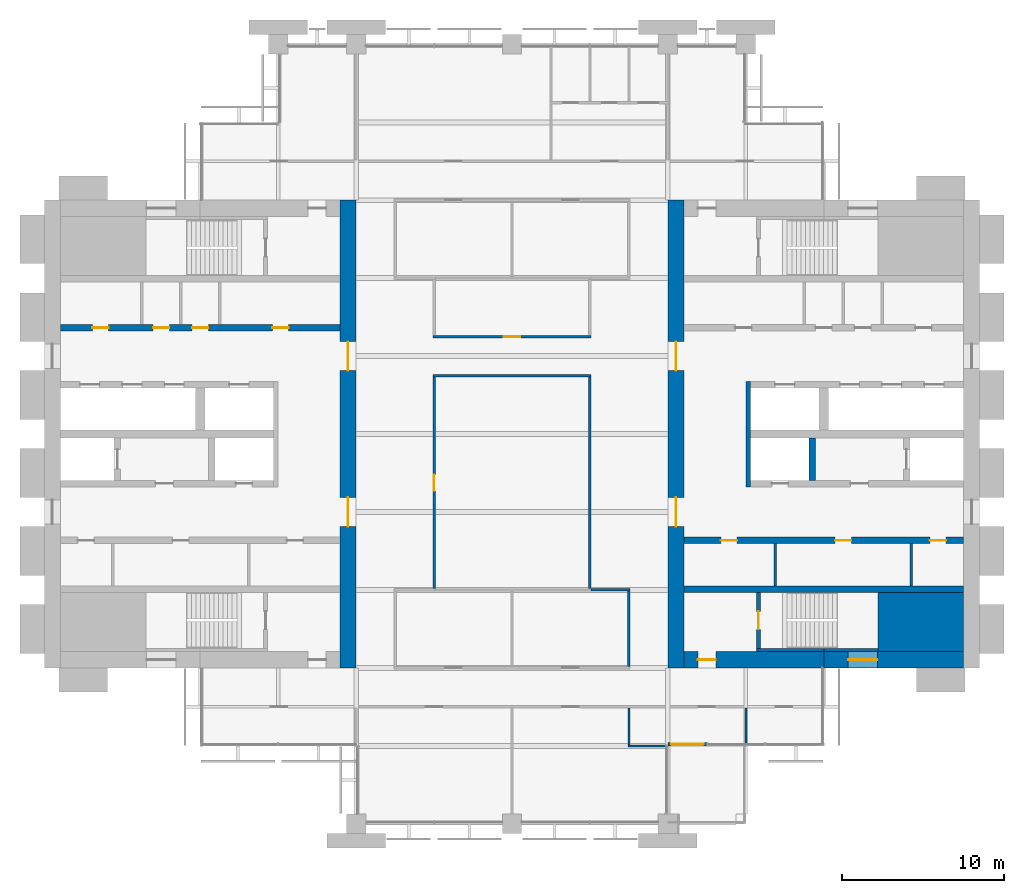
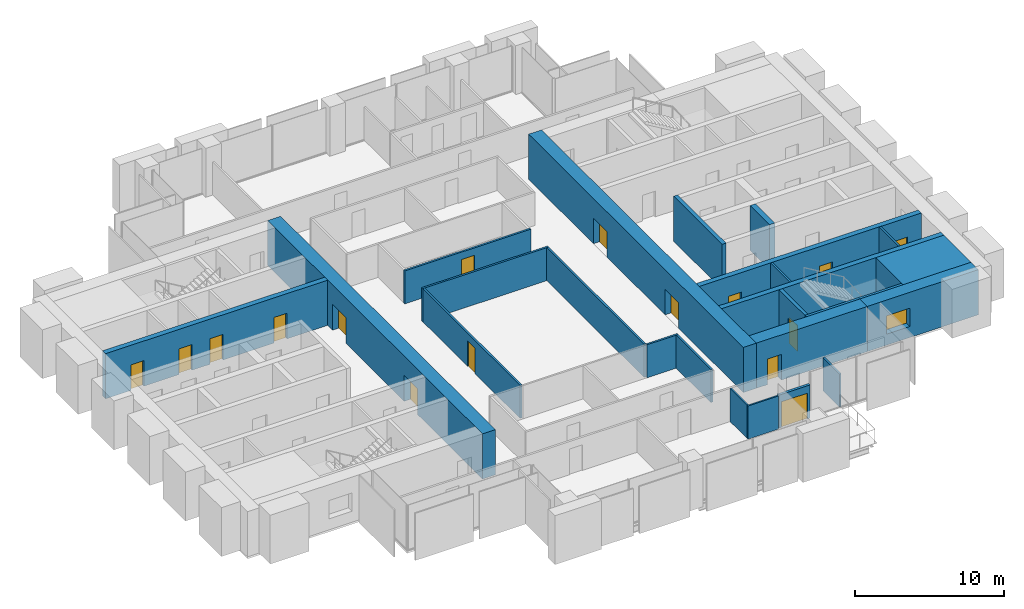
# One storey, part 9 of 13: 25 walls, 16 doors, 1 window, 17 openings.
"""IFC4 building model written with IfcOpenShell, lengths in metres."""

from ifc_helpers import new_model, si_unit, direction, frame, frame_2d, origin, place, context, subcontext, project, spatial, rectangle, extrude, material, layer, layer_set, type_object, element, fill, save


model = new_model("IFC4")

# Units and contexts
model_context = context("Model", 3, precision=1e-05, world=origin(), true_north=direction((0.0, 1.0)))
body_context = subcontext(model_context, "Body", "Model", "MODEL_VIEW")
ifc_project = project(units=[si_unit("LENGTHUNIT", "METRE"), si_unit("AREAUNIT", "SQUARE_METRE"), si_unit("VOLUMEUNIT", "CUBIC_METRE"), si_unit("PLANEANGLEUNIT", "RADIAN"), si_unit("MASSUNIT", "GRAM", prefix="KILO")], contexts=[model_context])

# Site, building, storey
site_placement = place(None, origin())
site = spatial("IfcSite", under=ifc_project, at=site_placement, CompositionType="ELEMENT")
building_placement = place(site_placement, origin())
building = spatial("IfcBuilding", under=site, at=building_placement, Name="Baori Bourse Tower", CompositionType="ELEMENT")
storey_placement = place(building_placement, frame((0.0, 0.0, 172.10009765625)))
storey = spatial("IfcBuildingStorey", under=building, at=storey_placement, Name="L38", CompositionType="ELEMENT", Elevation=172.10009765625)

# Walls
ifc_material_1 = material(Name="Concrete f'c 60 MPa", Category="concrete")
wall_type_1 = type_object("IfcWallType", Name="Core corner block f'c 60", PredefinedType="SHEAR", material=ifc_material_1)
wall_1_placement = place(storey_placement, frame((51.35009765625, 12.425048828125, 0.0), z_axis=(0.0, 0.0, 1.0), x_axis=(1.0, 0.0, 0.0)))
element("IfcWall", 1, at=wall_1_placement, inside=storey, type_object=wall_type_1, Name="Core wall E05", PredefinedType="SHEAR", context=body_context, shape_type="SweptSolid", body=[
    extrude(rectangle(XDim=5.25, YDim=3.64990234375, at=frame_2d((2.625, 0.0))), origin(), (0.0, 0.0, 1.0), 3.699951171875),
])
ifc_material_2 = material(Name="Blockwork partition", Category="masonry")
ifc_layer_1 = layer(ifc_material_2, 0.14990234375)
ifc_layer_set_1 = layer_set([ifc_layer_1], Name="Core partition 150")
wall_type_2 = type_object("IfcWallType", Name="Core partition 150", PredefinedType="PARTITIONING", material=ifc_layer_set_1)
for number, where, z_axis, x_axis, name in (
    (2, (53.39990234375, 14.64990234375, 0.0), (0.0, 0.0, 1.0), (0.0, 1.0, 0.0), "Partition wall E10"),
    (3, (45.0, 14.64990234375, 0.0), (0.0, 0.0, 1.0), (0.0, 1.0, 0.0), "Partition wall E11"),
):
    element("IfcWall", number, at=place(storey_placement, frame(where, z_axis=z_axis, x_axis=x_axis)), inside=storey, type_object=wall_type_2, Name=name, PredefinedType="PARTITIONING", context=body_context, shape_type="SweptSolid", body=[
        extrude(rectangle(XDim=2.60009765625, YDim=0.14990234375, at=frame_2d((1.300048828125, 0.0))), origin(), (0.0, 0.0, 1.0), 3.699951171875),
    ])

# Wall, openings, doors
ifc_material_3 = material(Name="Concrete f'c 60 MPa", Category="concrete")
ifc_layer_2 = layer(ifc_material_3, 1.0)
ifc_layer_set_2 = layer_set([ifc_layer_2], Name="Core wall 1000 f'c 60")
wall_type_3 = type_object("IfcWallType", Name="Core wall 1000 f'c 60", PredefinedType="SHEAR", material=ifc_layer_set_2)
wall_2_placement = place(storey_placement, frame((18.699951171875, 38.39990234375, 0.0), z_axis=(0.0, 0.0, 1.0), x_axis=(0.0, -1.0, 0.0)))
wall_2 = element("IfcWall", 4, at=wall_2_placement, inside=storey, type_object=wall_type_3, Name="Core wall W04", PredefinedType="SHEAR", context=body_context, shape_type="SweptSolid", body=[
    extrude(rectangle(XDim=28.7998046875, YDim=1.0, at=frame_2d((14.39990234375, 0.0))), origin(), (0.0, 0.0, 1.0), 3.699951171875),
])
opening_1_placement = place(wall_2_placement, frame((18.300048828125, 0.0, 0.0)))
opening_1 = element("IfcOpeningElement", 5, at=opening_1_placement, cuts=wall_2, Name="Opening L38-D107", PredefinedType="OPENING", context=body_context, shape_type="SweptSolid", body=[
    extrude(rectangle(XDim=1.800048828125, YDim=2.10009765625, at=frame_2d((0.89990234375, 1.050048828125))), frame((0.0, 0.510009765625, 0.0), z_axis=(0.0, -1.0, 0.0), x_axis=(1.0, 0.0, 0.0)), (0.0, 0.0, 1.0), 1.02001953125),
])
opening_2_placement = place(wall_2_placement, frame((8.699951171875, 0.0, 0.0)))
opening_2 = element("IfcOpeningElement", 6, at=opening_2_placement, cuts=wall_2, Name="Opening L38-D108", PredefinedType="OPENING", context=body_context, shape_type="SweptSolid", body=[
    extrude(rectangle(XDim=1.800048828125, YDim=2.10009765625, at=frame_2d((0.89990234375, 1.050048828125))), frame((0.0, 0.510009765625, 0.0), z_axis=(0.0, -1.0, 0.0), x_axis=(1.0, 0.0, 0.0)), (0.0, 0.0, 1.0), 1.02001953125),
])
ifc_material_4 = material(Name="Painted steel door", Category="steel")
door_type_1 = type_object("IfcDoorType", Name="Core lobby door 1800", OperationType="DOUBLE_DOOR_SINGLE_SWING", PredefinedType="DOOR", material=ifc_material_4)
door_1_placement = place(opening_1_placement, origin())
door_1 = element("IfcDoor", 7, at=door_1_placement, inside=storey, type_object=door_type_1, Name="Lobby door W L38", OperationType="DOUBLE_DOOR_SINGLE_SWING", OverallHeight=2.10009765625, OverallWidth=1.800048828125, PredefinedType="DOOR", context=body_context, shape_type="SweptSolid", body=[
    extrude(rectangle(XDim=1.800048828125, YDim=2.10009765625, at=frame_2d((0.89990234375, 1.050048828125))), frame((0.0, 0.02490234375, 0.0), z_axis=(0.0, -1.0, 0.0), x_axis=(1.0, 0.0, 0.0)), (0.0, 0.0, 1.0), 0.050048828125),
])
fill(opening_1, door_1)
door_2_placement = place(opening_2_placement, origin())
door_2 = element("IfcDoor", 8, at=door_2_placement, inside=storey, type_object=door_type_1, Name="Lobby door W L38", OperationType="DOUBLE_DOOR_SINGLE_SWING", OverallHeight=2.10009765625, OverallWidth=1.800048828125, PredefinedType="DOOR", context=body_context, shape_type="SweptSolid", body=[
    extrude(rectangle(XDim=1.800048828125, YDim=2.10009765625, at=frame_2d((0.89990234375, 1.050048828125))), frame((0.0, 0.02490234375, 0.0), z_axis=(0.0, -1.0, 0.0), x_axis=(1.0, 0.0, 0.0)), (0.0, 0.0, 1.0), 0.050048828125),
])
fill(opening_2, door_2)

# Wall, opening, window
wall_3_placement = place(storey_placement, frame((56.60009765625, 10.10009765625, 0.0), z_axis=(0.0, 0.0, 1.0), x_axis=(-1.0, 0.0, 0.0)))
wall_3 = element("IfcWall", 9, at=wall_3_placement, inside=storey, type_object=wall_type_3, Name="Core wall E02", PredefinedType="SHEAR", context=body_context, shape_type="SweptSolid", body=[
    extrude(rectangle(XDim=8.60009765625, YDim=1.0, at=frame_2d((4.300048828125, 0.0))), origin(), (0.0, 0.0, 1.0), 3.699951171875),
])
opening_3_placement = place(wall_3_placement, frame((5.300048828125, 0.0, 0.89990234375)))
opening_3 = element("IfcOpeningElement", 10, at=opening_3_placement, cuts=wall_3, Name="Opening L38-KW203", PredefinedType="OPENING", context=body_context, shape_type="SweptSolid", body=[
    extrude(rectangle(XDim=1.800048828125, YDim=1.5, at=frame_2d((0.89990234375, 0.75))), frame((0.0, 0.510009765625, 0.0), z_axis=(0.0, -1.0, 0.0), x_axis=(1.0, 0.0, 0.0)), (0.0, 0.0, 1.0), 1.02001953125),
])
ifc_material_5 = material(Name="Pale anodised aluminium", Category="aluminium")
window_type = type_object("IfcWindowType", Name="Stair window 1800 x 1500", PartitioningType="SINGLE_PANEL", PredefinedType="WINDOW", material=ifc_material_5)
window_placement = place(opening_3_placement, origin())
window = element("IfcWindow", 11, at=window_placement, inside=storey, type_object=window_type, Name="Stair window E L38 3", OverallHeight=1.5, OverallWidth=1.800048828125, PartitioningType="SINGLE_PANEL", PredefinedType="WINDOW", context=body_context, shape_type="SweptSolid", body=[
    extrude(rectangle(XDim=1.800048828125, YDim=1.5, at=frame_2d((0.89990234375, 0.75))), frame((0.0, 0.030029296875, 0.0), z_axis=(0.0, -1.0, 0.0), x_axis=(1.0, 0.0, 0.0)), (0.0, 0.0, 1.0), 0.06005859375),
])
fill(opening_3, window)

# Wall, opening, door
wall_4_placement = place(storey_placement, frame((48.0, 10.10009765625, 0.0), z_axis=(0.0, 0.0, 1.0), x_axis=(-1.0, 0.0, 0.0)))
wall_4 = element("IfcWall", 12, at=wall_4_placement, inside=storey, type_object=wall_type_3, Name="Core wall E03", PredefinedType="SHEAR", context=body_context, shape_type="SweptSolid", body=[
    extrude(rectangle(XDim=8.60009765625, YDim=1.0, at=frame_2d((4.300048828125, 0.0))), origin(), (0.0, 0.0, 1.0), 3.699951171875),
])
opening_4_placement = place(wall_4_placement, frame((6.64990234375, 0.0, 0.0)))
opening_4 = element("IfcOpeningElement", 13, at=opening_4_placement, cuts=wall_4, Name="Opening L38-D202", PredefinedType="OPENING", context=body_context, shape_type="SweptSolid", body=[
    extrude(rectangle(XDim=1.10009765625, YDim=2.10009765625, at=frame_2d((0.550048828125, 1.050048828125))), frame((0.0, 0.510009765625, 0.0), z_axis=(0.0, -1.0, 0.0), x_axis=(1.0, 0.0, 0.0)), (0.0, 0.0, 1.0), 1.02001953125),
])
ifc_material_6 = material(Name="Painted steel door", Category="steel")
door_type_2 = type_object("IfcDoorType", Name="Stair door 1100", OperationType="SINGLE_SWING_LEFT", PredefinedType="DOOR", material=ifc_material_6)
door_3_placement = place(opening_4_placement, origin())
door_3 = element("IfcDoor", 14, at=door_3_placement, inside=storey, type_object=door_type_2, Name="Stair vestibule door A E L38", OperationType="SINGLE_SWING_LEFT", OverallHeight=2.10009765625, OverallWidth=1.10009765625, PredefinedType="DOOR", context=body_context, shape_type="SweptSolid", body=[
    extrude(rectangle(XDim=1.10009765625, YDim=2.10009765625, at=frame_2d((0.550048828125, 1.050048828125))), frame((0.0, 0.02490234375, 0.0), z_axis=(0.0, -1.0, 0.0), x_axis=(1.0, 0.0, 0.0)), (0.0, 0.0, 1.0), 0.050048828125),
])
fill(opening_4, door_3)

# Wall, openings, doors
wall_5_placement = place(storey_placement, frame((38.89990234375, 9.60009765625, 0.0), z_axis=(0.0, 0.0, 1.0), x_axis=(0.0, 1.0, 0.0)))
wall_5 = element("IfcWall", 15, at=wall_5_placement, inside=storey, type_object=wall_type_3, Name="Core wall E04", PredefinedType="SHEAR", context=body_context, shape_type="SweptSolid", body=[
    extrude(rectangle(XDim=28.7998046875, YDim=1.0, at=frame_2d((14.39990234375, 0.0))), origin(), (0.0, 0.0, 1.0), 3.699951171875),
])
opening_5_placement = place(wall_5_placement, frame((8.699951171875, 0.0, 0.0)))
opening_5 = element("IfcOpeningElement", 16, at=opening_5_placement, cuts=wall_5, Name="Opening L38-D207", PredefinedType="OPENING", context=body_context, shape_type="SweptSolid", body=[
    extrude(rectangle(XDim=1.800048828125, YDim=2.10009765625, at=frame_2d((0.89990234375, 1.050048828125))), frame((0.0, 0.510009765625, 0.0), z_axis=(0.0, -1.0, 0.0), x_axis=(1.0, 0.0, 0.0)), (0.0, 0.0, 1.0), 1.02001953125),
])
opening_6_placement = place(wall_5_placement, frame((18.300048828125, 0.0, 0.0)))
opening_6 = element("IfcOpeningElement", 17, at=opening_6_placement, cuts=wall_5, Name="Opening L38-D208", PredefinedType="OPENING", context=body_context, shape_type="SweptSolid", body=[
    extrude(rectangle(XDim=1.800048828125, YDim=2.10009765625, at=frame_2d((0.89990234375, 1.050048828125))), frame((0.0, 0.510009765625, 0.0), z_axis=(0.0, -1.0, 0.0), x_axis=(1.0, 0.0, 0.0)), (0.0, 0.0, 1.0), 1.02001953125),
])
door_4_placement = place(opening_5_placement, origin())
door_4 = element("IfcDoor", 18, at=door_4_placement, inside=storey, type_object=door_type_1, Name="Lobby door E L38", OperationType="DOUBLE_DOOR_SINGLE_SWING", OverallHeight=2.10009765625, OverallWidth=1.800048828125, PredefinedType="DOOR", context=body_context, shape_type="SweptSolid", body=[
    extrude(rectangle(XDim=1.800048828125, YDim=2.10009765625, at=frame_2d((0.89990234375, 1.050048828125))), frame((0.0, 0.02490234375, 0.0), z_axis=(0.0, -1.0, 0.0), x_axis=(1.0, 0.0, 0.0)), (0.0, 0.0, 1.0), 0.050048828125),
])
fill(opening_5, door_4)
door_5_placement = place(opening_6_placement, origin())
door_5 = element("IfcDoor", 19, at=door_5_placement, inside=storey, type_object=door_type_1, Name="Lobby door E L38", OperationType="DOUBLE_DOOR_SINGLE_SWING", OverallHeight=2.10009765625, OverallWidth=1.800048828125, PredefinedType="DOOR", context=body_context, shape_type="SweptSolid", body=[
    extrude(rectangle(XDim=1.800048828125, YDim=2.10009765625, at=frame_2d((0.89990234375, 1.050048828125))), frame((0.0, 0.02490234375, 0.0), z_axis=(0.0, -1.0, 0.0), x_axis=(1.0, 0.0, 0.0)), (0.0, 0.0, 1.0), 0.050048828125),
])
fill(opening_6, door_5)

# Walls
ifc_material_7 = material(Name="Gypsum board partition")
ifc_layer_3 = layer(ifc_material_7, 0.14990234375)
ifc_layer_set_3 = layer_set([ifc_layer_3], Name="Corridor partition 150")
wall_type_4 = type_object("IfcWallType", Name="Corridor partition 150", PredefinedType="PARTITIONING", material=ifc_layer_set_3)
wall_6_placement = place(storey_placement, frame((33.675048828125, 14.39990234375, 0.0), z_axis=(0.0, 0.0, 1.0), x_axis=(1.0, 0.0, 0.0)))
element("IfcWall", 20, at=wall_6_placement, inside=storey, type_object=wall_type_4, Name="Partition", PredefinedType="PARTITIONING", context=body_context, shape_type="SweptSolid", body=[
    extrude(rectangle(XDim=2.39990234375, YDim=0.14990234375, at=frame_2d((1.199951171875, 0.0))), origin(), (0.0, 0.0, 1.0), 2.709228515625),
])
wall_7_placement = place(storey_placement, frame((23.925048828125, 27.60009765625, 0.0), z_axis=(0.0, 0.0, 1.0), x_axis=(1.0, 0.0, 0.0)))
element("IfcWall", 21, at=wall_7_placement, inside=storey, type_object=wall_type_4, Name="Partition", PredefinedType="PARTITIONING", context=body_context, shape_type="SweptSolid", body=[
    extrude(rectangle(XDim=9.75, YDim=0.14990234375, at=frame_2d((4.875, 0.0))), origin(), (0.0, 0.0, 1.0), 2.709228515625),
])

# Wall, opening, door
wall_8_placement = place(storey_placement, frame((23.925048828125, 30.0, 0.0), z_axis=(0.0, 0.0, 1.0), x_axis=(1.0, 0.0, 0.0)))
wall_8 = element("IfcWall", 22, at=wall_8_placement, inside=storey, type_object=wall_type_4, Name="Partition", PredefinedType="PARTITIONING", context=body_context, shape_type="SweptSolid", body=[
    extrude(rectangle(XDim=9.75, YDim=0.14990234375, at=frame_2d((4.875, 0.0))), origin(), (0.0, 0.0, 1.0), 2.709228515625),
])
opening_7_placement = place(wall_8_placement, frame((4.375, 0.0, 0.0)))
opening_7 = element("IfcOpeningElement", 23, at=opening_7_placement, cuts=wall_8, Name="Opening L38-D08", PredefinedType="OPENING", context=body_context, shape_type="SweptSolid", body=[
    extrude(rectangle(XDim=1.0, YDim=2.10009765625, at=frame_2d((0.5, 1.050048828125))), frame((0.0, 0.0849609375, 0.0), z_axis=(0.0, -1.0, 0.0), x_axis=(1.0, 0.0, 0.0)), (0.0, 0.0, 1.0), 0.169921875),
])
ifc_material_8 = material(Name="Timber door leaf", Category="wood")
door_type_3 = type_object("IfcDoorType", Name="Door 1000 x 2100", OperationType="SINGLE_SWING_LEFT", PredefinedType="DOOR", material=ifc_material_8)
door_6_placement = place(opening_7_placement, origin())
door_6 = element("IfcDoor", 24, at=door_6_placement, inside=storey, type_object=door_type_3, Name="Door", OperationType="SINGLE_SWING_LEFT", OverallHeight=2.10009765625, OverallWidth=1.0, PredefinedType="DOOR", context=body_context, shape_type="SweptSolid", body=[
    extrude(rectangle(XDim=1.0, YDim=2.10009765625, at=frame_2d((0.5, 1.050048828125))), frame((0.0, 0.02490234375, 0.0), z_axis=(0.0, -1.0, 0.0), x_axis=(1.0, 0.0, 0.0)), (0.0, 0.0, 1.0), 0.050048828125),
])
fill(opening_7, door_6)

wall_9_placement = place(storey_placement, frame((24.0, 14.47509765625, 0.0), z_axis=(0.0, 0.0, 1.0), x_axis=(0.0, 1.0, 0.0)))
wall_9 = element("IfcWall", 25, at=wall_9_placement, inside=storey, type_object=wall_type_4, Name="Partition", PredefinedType="PARTITIONING", context=body_context, shape_type="SweptSolid", body=[
    extrude(rectangle(XDim=13.0498046875, YDim=0.14990234375, at=frame_2d((6.52490234375, 0.0))), origin(), (0.0, 0.0, 1.0), 2.709228515625),
])
opening_8_placement = place(wall_9_placement, frame((6.02490234375, 0.0, 0.0)))
opening_8 = element("IfcOpeningElement", 26, at=opening_8_placement, cuts=wall_9, Name="Opening L38-D18", PredefinedType="OPENING", context=body_context, shape_type="SweptSolid", body=[
    extrude(rectangle(XDim=1.0, YDim=2.10009765625, at=frame_2d((0.5, 1.050048828125))), frame((0.0, 0.0849609375, 0.0), z_axis=(0.0, -1.0, 0.0), x_axis=(1.0, 0.0, 0.0)), (0.0, 0.0, 1.0), 0.169921875),
])
door_7_placement = place(opening_8_placement, origin())
door_7 = element("IfcDoor", 27, at=door_7_placement, inside=storey, type_object=door_type_3, Name="Door", OperationType="SINGLE_SWING_RIGHT", OverallHeight=2.10009765625, OverallWidth=1.0, PredefinedType="DOOR", context=body_context, shape_type="SweptSolid", body=[
    extrude(rectangle(XDim=1.0, YDim=2.10009765625, at=frame_2d((0.5, 1.050048828125))), frame((0.0, 0.02490234375, 0.0), z_axis=(0.0, -1.0, 0.0), x_axis=(1.0, 0.0, 0.0)), (0.0, 0.0, 1.0), 0.050048828125),
])
fill(opening_8, door_7)

# Walls
wall_10_placement = place(storey_placement, frame((33.60009765625, 14.47509765625, 0.0), z_axis=(0.0, 0.0, 1.0), x_axis=(0.0, 1.0, 0.0)))
element("IfcWall", 28, at=wall_10_placement, inside=storey, type_object=wall_type_4, Name="Partition", PredefinedType="PARTITIONING", context=body_context, shape_type="SweptSolid", body=[
    extrude(rectangle(XDim=13.0498046875, YDim=0.14990234375, at=frame_2d((6.52490234375, 0.0))), origin(), (0.0, 0.0, 1.0), 2.709228515625),
])
wall_11_placement = place(storey_placement, frame((36.0, 9.675048828125, 0.0), z_axis=(0.0, 0.0, 1.0), x_axis=(0.0, 1.0, 0.0)))
element("IfcWall", 29, at=wall_11_placement, inside=storey, type_object=wall_type_4, Name="Partition", PredefinedType="PARTITIONING", context=body_context, shape_type="SweptSolid", body=[
    extrude(rectangle(XDim=4.64990234375, YDim=0.14990234375, at=frame_2d((2.324951171875, 0.0))), origin(), (0.0, 0.0, 1.0), 2.709228515625),
])

# Wall, opening, door
ifc_material_9 = material(Name="Pale anodised aluminium", Category="aluminium")
ifc_layer_4 = layer(ifc_material_9, 0.199951171875)
ifc_layer_set_4 = layer_set([ifc_layer_4], Name="EW1 External wall bay")
wall_type_5 = type_object("IfcWallType", Name="EW1 External wall bay", PredefinedType="SOLIDWALL", material=ifc_layer_set_4)
wall_12_placement = place(storey_placement, frame((38.39990234375, 4.89990234375, 0.0), z_axis=(0.0, 0.0, 1.0), x_axis=(1.0, 0.0, 0.0)))
wall_12 = element("IfcWall", 30, at=wall_12_placement, inside=storey, type_object=wall_type_5, Name="External wall bay L38 1", PredefinedType="SOLIDWALL", context=body_context, shape_type="SweptSolid", body=[
    extrude(rectangle(XDim=2.400146484375, YDim=0.199951171875, at=frame_2d((1.2001953125, 0.0))), origin(), (0.0, 0.0, 1.0), 2.709228515625),
])
opening_9_placement = place(wall_12_placement, frame((0.199951171875, 0.0, 0.0)))
opening_9 = element("IfcOpeningElement", 31, at=opening_9_placement, cuts=wall_12, Name="Opening L38-D91", PredefinedType="OPENING", context=body_context, shape_type="SweptSolid", body=[
    extrude(rectangle(XDim=2.0, YDim=2.10009765625, at=frame_2d((1.0, 1.050048828125))), frame((0.0, 0.10986328125, 0.0), z_axis=(0.0, -1.0, 0.0), x_axis=(1.0, 0.0, 0.0)), (0.0, 0.0, 1.0), 0.219970703125),
])
ifc_material_10 = material(Name="Pale anodised aluminium", Category="aluminium")
door_type_4 = type_object("IfcDoorType", Name="TR1 Terrace door", OperationType="DOUBLE_DOOR_SINGLE_SWING", PredefinedType="DOOR", material=ifc_material_10)
door_8_placement = place(opening_9_placement, origin())
door_8 = element("IfcDoor", 32, at=door_8_placement, inside=storey, type_object=door_type_4, Name="Terrace door L38 1", OperationType="SINGLE_SWING_LEFT", OverallHeight=2.10009765625, OverallWidth=2.0, PredefinedType="DOOR", context=body_context, shape_type="SweptSolid", body=[
    extrude(rectangle(XDim=2.0, YDim=2.10009765625, at=frame_2d((1.0, 1.050048828125))), frame((0.0, 0.02490234375, 0.0), z_axis=(0.0, -1.0, 0.0), x_axis=(1.0, 0.0, 0.0)), (0.0, 0.0, 1.0), 0.050048828125),
])
fill(opening_9, door_8)

# Walls
ifc_material_11 = material(Name="Gypsum board partition")
ifc_layer_5 = layer(ifc_material_11, 0.125)
ifc_layer_set_5 = layer_set([ifc_layer_5], Name="Partition 125")
wall_type_6 = type_object("IfcWallType", Name="Partition 125", PredefinedType="PARTITIONING", material=ifc_layer_set_5)
wall_13_placement = place(storey_placement, frame((35.9375, 4.800048828125, 0.0), z_axis=(0.0, 0.0, 1.0), x_axis=(1.0, 0.0, 0.0)))
element("IfcWall", 33, at=wall_13_placement, inside=storey, type_object=wall_type_6, Name="Partition", PredefinedType="PARTITIONING", context=body_context, shape_type="SweptSolid", body=[
    extrude(rectangle(XDim=2.362548828125, YDim=0.125, at=frame_2d((1.18115234375, 0.0))), origin(), (0.0, 0.0, 1.0), 2.709228515625),
])
wall_14_placement = place(storey_placement, frame((36.0, 4.862548828125, 0.0), z_axis=(0.0, 0.0, 1.0), x_axis=(0.0, 1.0, 0.0)))
element("IfcWall", 34, at=wall_14_placement, inside=storey, type_object=wall_type_6, Name="Partition", PredefinedType="PARTITIONING", context=body_context, shape_type="SweptSolid", body=[
    extrude(rectangle(XDim=2.262451171875, YDim=0.125, at=frame_2d((1.13134765625, 0.0))), origin(), (0.0, 0.0, 1.0), 2.709228515625),
])
wall_15_placement = place(storey_placement, frame((43.199951171875, 4.89990234375, 0.0), z_axis=(0.0, 0.0, 1.0), x_axis=(0.0, 1.0, 0.0)))
element("IfcWall", 35, at=wall_15_placement, inside=storey, type_object=wall_type_6, Name="Partition", PredefinedType="PARTITIONING", context=body_context, shape_type="SweptSolid", body=[
    extrude(rectangle(XDim=2.22509765625, YDim=0.125, at=frame_2d((1.112548828125, 0.0))), origin(), (0.0, 0.0, 1.0), 2.709228515625),
])
ifc_material_12 = material(Name="Concrete f'c 60 MPa", Category="concrete")
ifc_layer_6 = layer(ifc_material_12, 0.199951171875)
ifc_layer_set_6 = layer_set([ifc_layer_6], Name="Shaft wall 200 f'c 60")
wall_type_7 = type_object("IfcWallType", Name="Shaft wall 200 f'c 60", PredefinedType="SHEAR", material=ifc_layer_set_6)
wall_16_placement = place(storey_placement, frame((48.0, 10.699951171875, 0.0), z_axis=(0.0, 0.0, 1.0), x_axis=(1.0, 0.0, 0.0)))
element("IfcWall", 36, at=wall_16_placement, inside=storey, type_object=wall_type_7, Name="Core wall E06", PredefinedType="SHEAR", context=body_context, shape_type="SweptSolid", body=[
    extrude(rectangle(XDim=3.35009765625, YDim=0.199951171875, at=frame_2d((1.675048828125, 0.0))), origin(), (0.0, 0.0, 1.0), 3.699951171875),
])
wall_17_placement = place(storey_placement, frame((43.85009765625, 10.699951171875, 0.0), z_axis=(0.0, 0.0, 1.0), x_axis=(1.0, 0.0, 0.0)))
element("IfcWall", 37, at=wall_17_placement, inside=storey, type_object=wall_type_7, Name="Core wall E07", PredefinedType="SHEAR", context=body_context, shape_type="SweptSolid", body=[
    extrude(rectangle(XDim=4.14990234375, YDim=0.199951171875, at=frame_2d((2.074951171875, 0.0))), origin(), (0.0, 0.0, 1.0), 3.699951171875),
])

# Wall, opening, door
ifc_material_13 = material(Name="Concrete f'c 60 MPa", Category="concrete")
ifc_layer_7 = layer(ifc_material_13, 0.25)
ifc_layer_set_7 = layer_set([ifc_layer_7], Name="Shaft wall 250 f'c 60")
wall_type_8 = type_object("IfcWallType", Name="Shaft wall 250 f'c 60", PredefinedType="SHEAR", material=ifc_layer_set_7)
wall_18_placement = place(storey_placement, frame((43.97509765625, 10.800048828125, 0.0), z_axis=(0.0, 0.0, 1.0), x_axis=(0.0, 1.0, 0.0)))
wall_18 = element("IfcWall", 38, at=wall_18_placement, inside=storey, type_object=wall_type_8, Name="Core wall E08", PredefinedType="SHEAR", context=body_context, shape_type="SweptSolid", body=[
    extrude(rectangle(XDim=3.449951171875, YDim=0.25, at=frame_2d((1.72509765625, 0.0))), origin(), (0.0, 0.0, 1.0), 3.699951171875),
])
opening_10_placement = place(wall_18_placement, frame((1.175048828125, 0.0, 0.0)))
opening_10 = element("IfcOpeningElement", 39, at=opening_10_placement, cuts=wall_18, Name="Opening L38-D201", PredefinedType="OPENING", context=body_context, shape_type="SweptSolid", body=[
    extrude(rectangle(XDim=1.10009765625, YDim=2.10009765625, at=frame_2d((0.550048828125, 1.050048828125))), frame((0.0, 0.135009765625, 0.0), z_axis=(0.0, -1.0, 0.0), x_axis=(1.0, 0.0, 0.0)), (0.0, 0.0, 1.0), 0.27001953125),
])
door_9_placement = place(opening_10_placement, origin())
door_9 = element("IfcDoor", 40, at=door_9_placement, inside=storey, type_object=door_type_2, Name="Stair door A E L38", OperationType="SINGLE_SWING_LEFT", OverallHeight=2.10009765625, OverallWidth=1.10009765625, PredefinedType="DOOR", context=body_context, shape_type="SweptSolid", body=[
    extrude(rectangle(XDim=1.10009765625, YDim=2.10009765625, at=frame_2d((0.550048828125, 1.050048828125))), frame((0.0, 0.02490234375, 0.0), z_axis=(0.0, -1.0, 0.0), x_axis=(1.0, 0.0, 0.0)), (0.0, 0.0, 1.0), 0.050048828125),
])
fill(opening_10, door_9)

# Wall
ifc_material_14 = material(Name="Concrete f'c 60 MPa", Category="concrete")
ifc_layer_8 = layer(ifc_material_14, 0.300048828125)
ifc_layer_set_8 = layer_set([ifc_layer_8], Name="Shaft wall 300 f'c 60")
wall_type_9 = type_object("IfcWallType", Name="Shaft wall 300 f'c 60", PredefinedType="SHEAR", material=ifc_layer_set_8)
wall_19_placement = place(storey_placement, frame((43.35009765625, 20.75, 0.0), z_axis=(0.0, 0.0, 1.0), x_axis=(0.0, 1.0, 0.0)))
element("IfcWall", 41, at=wall_19_placement, inside=storey, type_object=wall_type_9, Name="Core wall E14", PredefinedType="SHEAR", context=body_context, shape_type="SweptSolid", body=[
    extrude(rectangle(XDim=6.5, YDim=0.300048828125, at=frame_2d((3.25, 0.0))), origin(), (0.0, 0.0, 1.0), 3.699951171875),
])

# Wall, openings, doors
ifc_material_15 = material(Name="Concrete f'c 60 MPa", Category="concrete")
ifc_layer_9 = layer(ifc_material_15, 0.39990234375)
ifc_layer_set_9 = layer_set([ifc_layer_9], Name="Shaft wall 400 f'c 60")
wall_type_10 = type_object("IfcWallType", Name="Shaft wall 400 f'c 60", PredefinedType="SHEAR", material=ifc_layer_set_9)
wall_20_placement = place(storey_placement, frame((1.0, 30.550048828125, 0.0), z_axis=(0.0, 0.0, 1.0), x_axis=(1.0, 0.0, 0.0)))
wall_20 = element("IfcWall", 42, at=wall_20_placement, inside=storey, type_object=wall_type_10, Name="Core wall W20", PredefinedType="SHEAR", context=body_context, shape_type="SweptSolid", body=[
    extrude(rectangle(XDim=17.199951171875, YDim=0.39990234375, at=frame_2d((8.60009765625, 0.0))), origin(), (0.0, 0.0, 1.0), 3.699951171875),
])
opening_11_placement = place(wall_20_placement, frame((1.96240234375, 0.0, 0.0)))
opening_11 = element("IfcOpeningElement", 43, at=opening_11_placement, cuts=wall_20, Name="Opening L38-D109", PredefinedType="OPENING", context=body_context, shape_type="SweptSolid", body=[
    extrude(rectangle(XDim=1.0, YDim=2.10009765625, at=frame_2d((0.5, 1.050048828125))), frame((0.0, 0.2099609375, 0.0), z_axis=(0.0, -1.0, 0.0), x_axis=(1.0, 0.0, 0.0)), (0.0, 0.0, 1.0), 0.419921875),
])
opening_12_placement = place(wall_20_placement, frame((5.699951171875, 0.0, 0.0)))
opening_12 = element("IfcOpeningElement", 44, at=opening_12_placement, cuts=wall_20, Name="Opening L38-D110", PredefinedType="OPENING", context=body_context, shape_type="SweptSolid", body=[
    extrude(rectangle(XDim=1.0, YDim=2.10009765625, at=frame_2d((0.5, 1.050048828125))), frame((0.0, 0.2099609375, 0.0), z_axis=(0.0, -1.0, 0.0), x_axis=(1.0, 0.0, 0.0)), (0.0, 0.0, 1.0), 0.419921875),
])
opening_13_placement = place(wall_20_placement, frame((8.10009765625, 0.0, 0.0)))
opening_13 = element("IfcOpeningElement", 45, at=opening_13_placement, cuts=wall_20, Name="Opening L38-D111", PredefinedType="OPENING", context=body_context, shape_type="SweptSolid", body=[
    extrude(rectangle(XDim=1.0, YDim=2.10009765625, at=frame_2d((0.5, 1.050048828125))), frame((0.0, 0.2099609375, 0.0), z_axis=(0.0, -1.0, 0.0), x_axis=(1.0, 0.0, 0.0)), (0.0, 0.0, 1.0), 0.419921875),
])
opening_14_placement = place(wall_20_placement, frame((13.03759765625, 0.0, 0.0)))
opening_14 = element("IfcOpeningElement", 46, at=opening_14_placement, cuts=wall_20, Name="Opening L38-D112", PredefinedType="OPENING", context=body_context, shape_type="SweptSolid", body=[
    extrude(rectangle(XDim=1.0, YDim=2.10009765625, at=frame_2d((0.5, 1.050048828125))), frame((0.0, 0.2099609375, 0.0), z_axis=(0.0, -1.0, 0.0), x_axis=(1.0, 0.0, 0.0)), (0.0, 0.0, 1.0), 0.419921875),
])
ifc_material_16 = material(Name="Painted steel door", Category="steel")
door_type_5 = type_object("IfcDoorType", Name="Core door 1000", OperationType="SINGLE_SWING_LEFT", PredefinedType="DOOR", material=ifc_material_16)
door_10_placement = place(opening_11_placement, origin())
door_10 = element("IfcDoor", 47, at=door_10_placement, inside=storey, type_object=door_type_5, Name="Women'S Wc door W L38", OperationType="SINGLE_SWING_LEFT", OverallHeight=2.10009765625, OverallWidth=1.0, PredefinedType="DOOR", context=body_context, shape_type="SweptSolid", body=[
    extrude(rectangle(XDim=1.0, YDim=2.10009765625, at=frame_2d((0.5, 1.050048828125))), frame((0.0, 0.02490234375, 0.0), z_axis=(0.0, -1.0, 0.0), x_axis=(1.0, 0.0, 0.0)), (0.0, 0.0, 1.0), 0.050048828125),
])
fill(opening_11, door_10)
door_11_placement = place(opening_12_placement, origin())
door_11 = element("IfcDoor", 48, at=door_11_placement, inside=storey, type_object=door_type_5, Name="Accessible Wc door W L38", OperationType="SINGLE_SWING_LEFT", OverallHeight=2.10009765625, OverallWidth=1.0, PredefinedType="DOOR", context=body_context, shape_type="SweptSolid", body=[
    extrude(rectangle(XDim=1.0, YDim=2.10009765625, at=frame_2d((0.5, 1.050048828125))), frame((0.0, 0.02490234375, 0.0), z_axis=(0.0, -1.0, 0.0), x_axis=(1.0, 0.0, 0.0)), (0.0, 0.0, 1.0), 0.050048828125),
])
fill(opening_12, door_11)
door_12_placement = place(opening_14_placement, origin())
door_12 = element("IfcDoor", 49, at=door_12_placement, inside=storey, type_object=door_type_5, Name="Men'S Wc door W L38", OperationType="SINGLE_SWING_LEFT", OverallHeight=2.10009765625, OverallWidth=1.0, PredefinedType="DOOR", context=body_context, shape_type="SweptSolid", body=[
    extrude(rectangle(XDim=1.0, YDim=2.10009765625, at=frame_2d((0.5, 1.050048828125))), frame((0.0, 0.02490234375, 0.0), z_axis=(0.0, -1.0, 0.0), x_axis=(1.0, 0.0, 0.0)), (0.0, 0.0, 1.0), 0.050048828125),
])
fill(opening_14, door_12)
ifc_material_17 = material(Name="Painted steel door", Category="steel")
door_type_6 = type_object("IfcDoorType", Name="Plant room door 1000", OperationType="SINGLE_SWING_LEFT", PredefinedType="DOOR", material=ifc_material_17)
door_13_placement = place(opening_13_placement, origin())
door_13 = element("IfcDoor", 50, at=door_13_placement, inside=storey, type_object=door_type_6, Name="Communications Room door W L38", OperationType="SINGLE_SWING_LEFT", OverallHeight=2.10009765625, OverallWidth=1.0, PredefinedType="DOOR", context=body_context, shape_type="SweptSolid", body=[
    extrude(rectangle(XDim=1.0, YDim=2.10009765625, at=frame_2d((0.5, 1.050048828125))), frame((0.0, 0.02490234375, 0.0), z_axis=(0.0, -1.0, 0.0), x_axis=(1.0, 0.0, 0.0)), (0.0, 0.0, 1.0), 0.050048828125),
])
fill(opening_13, door_13)

# Wall
wall_21_placement = place(storey_placement, frame((39.39990234375, 14.449951171875, 0.0), z_axis=(0.0, 0.0, 1.0), x_axis=(1.0, 0.0, 0.0)))
element("IfcWall", 51, at=wall_21_placement, inside=storey, type_object=wall_type_10, Name="Core wall E09", PredefinedType="SHEAR", context=body_context, shape_type="SweptSolid", body=[
    extrude(rectangle(XDim=17.2001953125, YDim=0.39990234375, at=frame_2d((8.60009765625, 0.0))), origin(), (0.0, 0.0, 1.0), 3.699951171875),
])

# Wall, openings, doors
wall_22_placement = place(storey_placement, frame((39.39990234375, 17.449951171875, 0.0), z_axis=(0.0, 0.0, 1.0), x_axis=(1.0, 0.0, 0.0)))
wall_22 = element("IfcWall", 52, at=wall_22_placement, inside=storey, type_object=wall_type_10, Name="Core wall E12", PredefinedType="SHEAR", context=body_context, shape_type="SweptSolid", body=[
    extrude(rectangle(XDim=17.2001953125, YDim=0.39990234375, at=frame_2d((8.60009765625, 0.0))), origin(), (0.0, 0.0, 1.0), 3.699951171875),
])
opening_15_placement = place(wall_22_placement, frame((15.137451171875, 0.0, 0.0)))
opening_15 = element("IfcOpeningElement", 53, at=opening_15_placement, cuts=wall_22, Name="Opening L38-D213", PredefinedType="OPENING", context=body_context, shape_type="SweptSolid", body=[
    extrude(rectangle(XDim=1.0, YDim=2.10009765625, at=frame_2d((0.5, 1.050048828125))), frame((0.0, 0.2099609375, 0.0), z_axis=(0.0, -1.0, 0.0), x_axis=(1.0, 0.0, 0.0)), (0.0, 0.0, 1.0), 0.419921875),
])
opening_16_placement = place(wall_22_placement, frame((9.300048828125, 0.0, 0.0)))
opening_16 = element("IfcOpeningElement", 54, at=opening_16_placement, cuts=wall_22, Name="Opening L38-D214", PredefinedType="OPENING", context=body_context, shape_type="SweptSolid", body=[
    extrude(rectangle(XDim=1.0, YDim=2.10009765625, at=frame_2d((0.5, 1.050048828125))), frame((0.0, 0.2099609375, 0.0), z_axis=(0.0, -1.0, 0.0), x_axis=(1.0, 0.0, 0.0)), (0.0, 0.0, 1.0), 0.419921875),
])
opening_17_placement = place(wall_22_placement, frame((2.262451171875, 0.0, 0.0)))
opening_17 = element("IfcOpeningElement", 55, at=opening_17_placement, cuts=wall_22, Name="Opening L38-D215", PredefinedType="OPENING", context=body_context, shape_type="SweptSolid", body=[
    extrude(rectangle(XDim=1.0, YDim=2.10009765625, at=frame_2d((0.5, 1.050048828125))), frame((0.0, 0.2099609375, 0.0), z_axis=(0.0, -1.0, 0.0), x_axis=(1.0, 0.0, 0.0)), (0.0, 0.0, 1.0), 0.419921875),
])
door_14_placement = place(opening_15_placement, origin())
door_14 = element("IfcDoor", 56, at=door_14_placement, inside=storey, type_object=door_type_5, Name="Accessible Wc door E L38", OperationType="SINGLE_SWING_LEFT", OverallHeight=2.10009765625, OverallWidth=1.0, PredefinedType="DOOR", context=body_context, shape_type="SweptSolid", body=[
    extrude(rectangle(XDim=1.0, YDim=2.10009765625, at=frame_2d((0.5, 1.050048828125))), frame((0.0, 0.02490234375, 0.0), z_axis=(0.0, -1.0, 0.0), x_axis=(1.0, 0.0, 0.0)), (0.0, 0.0, 1.0), 0.050048828125),
])
fill(opening_15, door_14)
door_15_placement = place(opening_16_placement, origin())
door_15 = element("IfcDoor", 57, at=door_15_placement, inside=storey, type_object=door_type_5, Name="Men'S Wc door E L38", OperationType="SINGLE_SWING_LEFT", OverallHeight=2.10009765625, OverallWidth=1.0, PredefinedType="DOOR", context=body_context, shape_type="SweptSolid", body=[
    extrude(rectangle(XDim=1.0, YDim=2.10009765625, at=frame_2d((0.5, 1.050048828125))), frame((0.0, 0.02490234375, 0.0), z_axis=(0.0, -1.0, 0.0), x_axis=(1.0, 0.0, 0.0)), (0.0, 0.0, 1.0), 0.050048828125),
])
fill(opening_16, door_15)
door_16_placement = place(opening_17_placement, origin())
door_16 = element("IfcDoor", 58, at=door_16_placement, inside=storey, type_object=door_type_5, Name="Women'S Wc door E L38", OperationType="SINGLE_SWING_LEFT", OverallHeight=2.10009765625, OverallWidth=1.0, PredefinedType="DOOR", context=body_context, shape_type="SweptSolid", body=[
    extrude(rectangle(XDim=1.0, YDim=2.10009765625, at=frame_2d((0.5, 1.050048828125))), frame((0.0, 0.02490234375, 0.0), z_axis=(0.0, -1.0, 0.0), x_axis=(1.0, 0.0, 0.0)), (0.0, 0.0, 1.0), 0.050048828125),
])
fill(opening_17, door_16)

# Wall
wall_23_placement = place(storey_placement, frame((47.300048828125, 21.14990234375, 0.0), z_axis=(0.0, 0.0, 1.0), x_axis=(0.0, 1.0, 0.0)))
element("IfcWall", 59, at=wall_23_placement, inside=storey, type_object=wall_type_10, Name="Core wall E16", PredefinedType="SHEAR", context=body_context, shape_type="SweptSolid", body=[
    extrude(rectangle(XDim=2.60009765625, YDim=0.39990234375, at=frame_2d((1.300048828125, 0.0))), origin(), (0.0, 0.0, 1.0), 3.699951171875),
])

save(model, "model.ifc")
